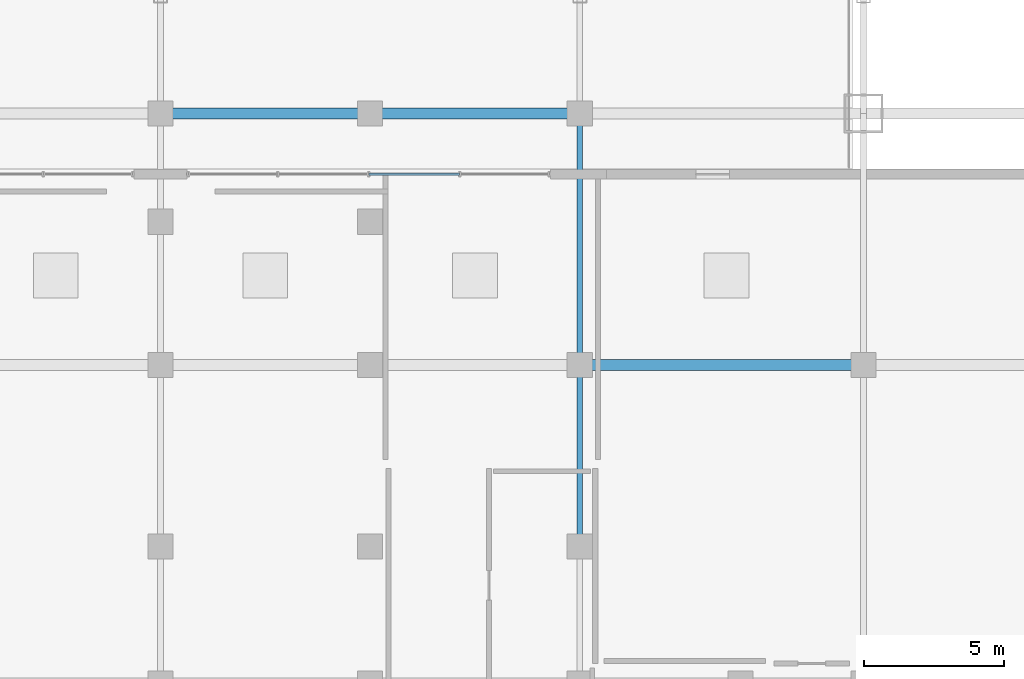
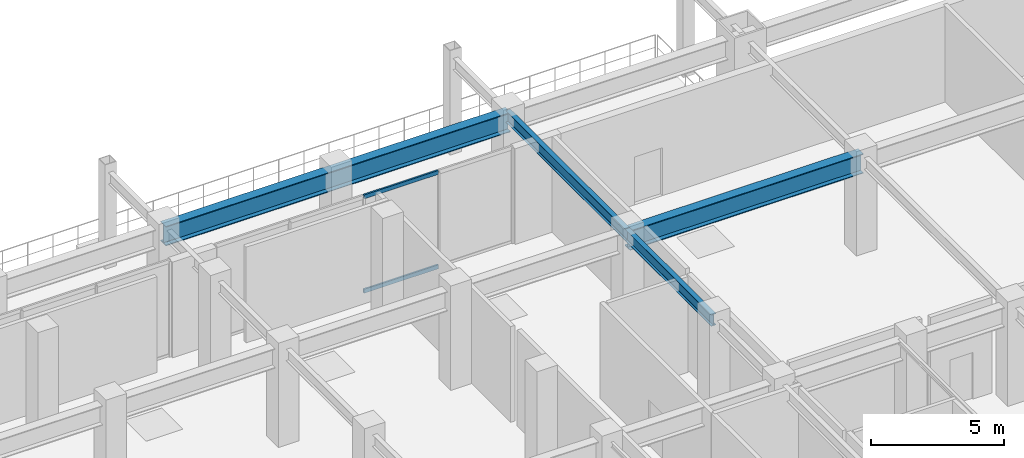
# One storey, part 7 of 15: 4 beams, 2 members, 1 element without a shape of its own.
"""IFC4 building model written with IfcOpenShell, lengths in metres."""

from ifc_helpers import new_model, si_unit, direction, frame, origin, origin_2d, place, context, subcontext, project, spatial, hollow_rectangle, i_section, extrude, material, material_profile, profile_set, type_object, element, aggregate, save


model = new_model("IFC4")

# Units and contexts
model_context = context("Model", 3, precision=1e-05, world=origin(), true_north=direction((0.0, 1.0)))
body_context = subcontext(model_context, "Body", "Model", "MODEL_VIEW")
ifc_project = project(units=[si_unit("LENGTHUNIT", "METRE"), si_unit("AREAUNIT", "SQUARE_METRE"), si_unit("VOLUMEUNIT", "CUBIC_METRE"), si_unit("PLANEANGLEUNIT", "RADIAN"), si_unit("MASSUNIT", "GRAM", prefix="KILO")], contexts=[model_context])

# Site, building, storey
site_placement = place(None, origin())
site = spatial("IfcSite", under=ifc_project, at=site_placement, CompositionType="ELEMENT")
building_placement = place(site_placement, origin())
building = spatial("IfcBuilding", under=site, at=building_placement, Name="Ventersveld Concourse Tower", CompositionType="ELEMENT")
storey_placement = place(building_placement, frame((0.0, 0.0, 19.800048828125)))
storey = spatial("IfcBuildingStorey", under=building, at=storey_placement, Name="L04", CompositionType="ELEMENT", Elevation=19.800048828125)

# Curtain wall, members
ifc_material_1 = material(Name="Anodised aluminium EN AW-6063-T6", Category="aluminium")
curtain_wall_type = type_object("IfcCurtainWallType", Name="CW-POD-2", PredefinedType="NOTDEFINED", material=ifc_material_1)
curtain_wall_placement = place(storey_placement, origin())
curtain_wall = element("IfcCurtainWall", 1, at=curtain_wall_placement, inside=storey, type_object=curtain_wall_type, Name="L04 L04 Amenity Terrace Curtain Wall 2", PredefinedType="NOTDEFINED")
ifc_material_profile_1 = material_profile(ifc_material_1, hollow_rectangle(XDim=0.074951171875, YDim=0.179931640625, WallThickness=0.00390625, at=origin_2d()), Name="ALU 180x75x4")
ifc_profile_set_1 = profile_set([ifc_material_profile_1], Name="Anodised aluminium EN AW-6063-T6")
member_type = type_object("IfcMemberType", Name="CWT-180x75", PredefinedType="USERDEFINED", material=ifc_profile_set_1)
member_1_placement = place(storey_placement, frame((36.2099609375, 41.820068359375, 0.030029296875), z_axis=(1.0, 0.0, 0.0), x_axis=(0.0, 1.0, 0.0)))
member_1 = element("IfcMember", 2, at=member_1_placement, type_object=member_type, Name="CW-L04-N2 Transom 1-03", ObjectType="TRANSOM", PredefinedType="USERDEFINED", context=body_context, shape_type="SweptSolid", body=[
    extrude(hollow_rectangle(XDim=0.074951171875, YDim=0.179931640625, WallThickness=0.00390625, at=origin_2d()), origin(), (0.0, 0.0, 1.0), 3.22998046875),
])
member_2_placement = place(storey_placement, frame((36.2099609375, 41.820068359375, 4.369873046875), z_axis=(1.0, 0.0, 0.0), x_axis=(0.0, 1.0, 0.0)))
member_2 = element("IfcMember", 3, at=member_2_placement, type_object=member_type, Name="CW-L04-N2 Transom 2-03", ObjectType="TRANSOM", PredefinedType="USERDEFINED", context=body_context, shape_type="SweptSolid", body=[
    extrude(hollow_rectangle(XDim=0.074951171875, YDim=0.179931640625, WallThickness=0.00390625, at=origin_2d()), origin(), (0.0, 0.0, 1.0), 3.22998046875),
])
aggregate(curtain_wall, [member_1, member_2])

# Beams
ifc_material_2 = material(Name="Structural steel S355J2", Category="steel")
ifc_material_profile_2 = material_profile(ifc_material_2, i_section(OverallWidth=0.39990234375, OverallDepth=0.89990234375, WebThickness=0.02197265625, FlangeThickness=0.035888671875, at=origin_2d()), Name="PG 900x400x36")
ifc_profile_set_2 = profile_set([ifc_material_profile_2], Name="Structural steel S355J2")
beam_type_1 = type_object("IfcBeamType", Name="GRD-PG900", PredefinedType="USERDEFINED", material=ifc_profile_set_2)
beam_1_placement = place(storey_placement, frame((43.75, 35.0, 3.949951171875), z_axis=(1.0, 0.0, 0.0), x_axis=(0.0, 1.0, 0.0)))
element("IfcBeam", 4, at=beam_1_placement, inside=storey, type_object=beam_type_1, Name="L04 Podium Primary Girder Y=35.0m", ObjectType="GIRDER", PredefinedType="USERDEFINED", context=body_context, shape_type="SweptSolid", body=[
    extrude(i_section(OverallWidth=0.39990234375, OverallDepth=0.89990234375, WebThickness=0.02197265625, FlangeThickness=0.035888671875, at=origin_2d()), origin(), (0.0, 0.0, 1.0), 10.14990234375),
])
beam_2_placement = place(storey_placement, frame((28.75, 44.0, 3.949951171875), z_axis=(1.0, 0.0, 0.0), x_axis=(0.0, 1.0, 0.0)))
element("IfcBeam", 5, at=beam_2_placement, inside=storey, type_object=beam_type_1, Name="L04 Podium Primary Girder Y=44.0m", ObjectType="GIRDER", PredefinedType="USERDEFINED", context=body_context, shape_type="SweptSolid", body=[
    extrude(i_section(OverallWidth=0.39990234375, OverallDepth=0.89990234375, WebThickness=0.02197265625, FlangeThickness=0.035888671875, at=origin_2d()), origin(), (0.0, 0.0, 1.0), 15.0),
])
ifc_material_profile_3 = material_profile(ifc_material_2, i_section(OverallWidth=0.209228515625, OverallDepth=0.533203125, WebThickness=0.010009765625, FlangeThickness=0.015625, FilletRadius=0.0126953125, at=origin_2d()), Name="UB 533x210x92")
ifc_profile_set_3 = profile_set([ifc_material_profile_3], Name="Structural steel S355J2")
beam_type_2 = type_object("IfcBeamType", Name="GRD-UB533", PredefinedType="T_BEAM", material=ifc_profile_set_3)
beam_3_placement = place(storey_placement, frame((43.75, 28.5, 4.133544921875), z_axis=(0.0, 1.0, 0.0), x_axis=(-1.0, 0.0, 0.0)))
element("IfcBeam", 6, at=beam_3_placement, inside=storey, type_object=beam_type_2, Name="L04 Podium N-S Girder X=43.75m", PredefinedType="T_BEAM", context=body_context, shape_type="SweptSolid", body=[
    extrude(i_section(OverallWidth=0.209228515625, OverallDepth=0.533203125, WebThickness=0.010009765625, FlangeThickness=0.015625, FilletRadius=0.0126953125, at=origin_2d()), origin(), (0.0, 0.0, 1.0), 6.5),
])
beam_4_placement = place(storey_placement, frame((43.75, 35.0, 4.133544921875), z_axis=(0.0, 1.0, 0.0), x_axis=(-1.0, 0.0, 0.0)))
element("IfcBeam", 7, at=beam_4_placement, inside=storey, type_object=beam_type_2, Name="L04 Podium N-S Girder X=43.75m", PredefinedType="T_BEAM", context=body_context, shape_type="SweptSolid", body=[
    extrude(i_section(OverallWidth=0.209228515625, OverallDepth=0.533203125, WebThickness=0.010009765625, FlangeThickness=0.015625, FilletRadius=0.0126953125, at=origin_2d()), origin(), (0.0, 0.0, 1.0), 9.0),
])

save(model, "model.ifc")
